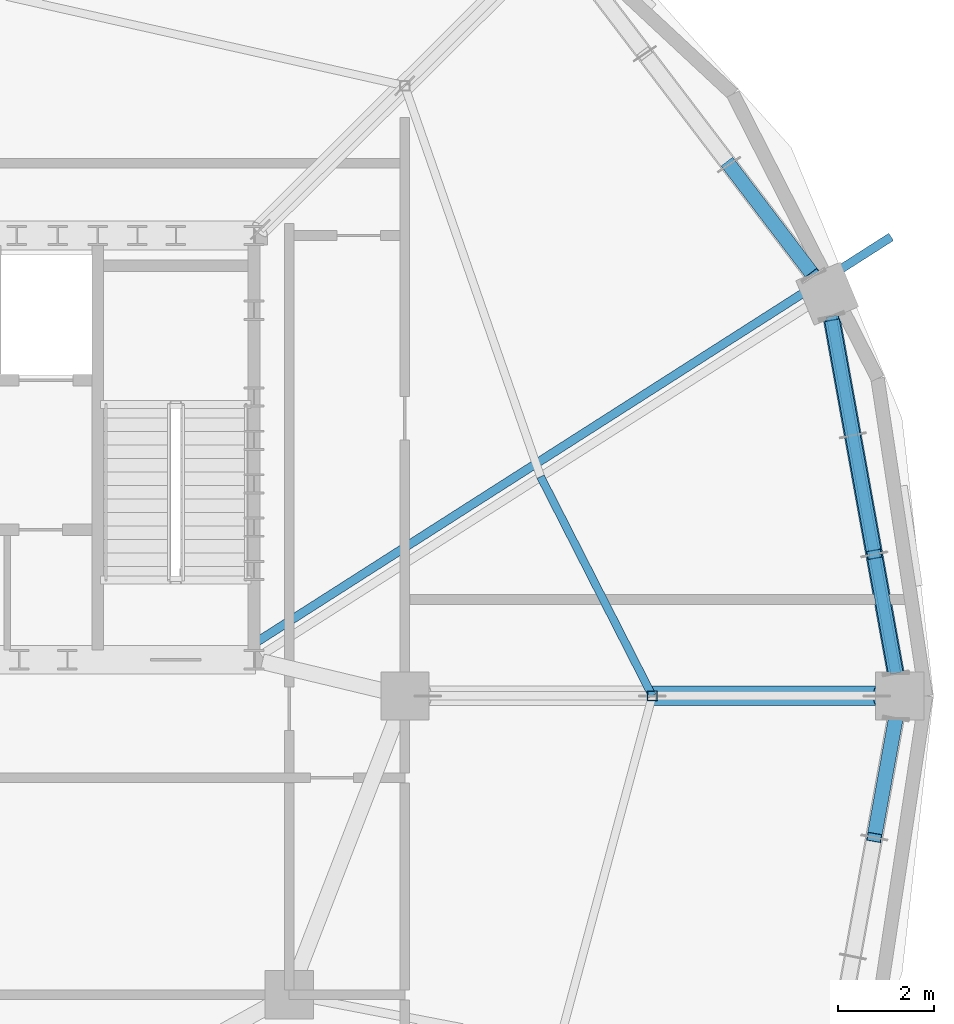
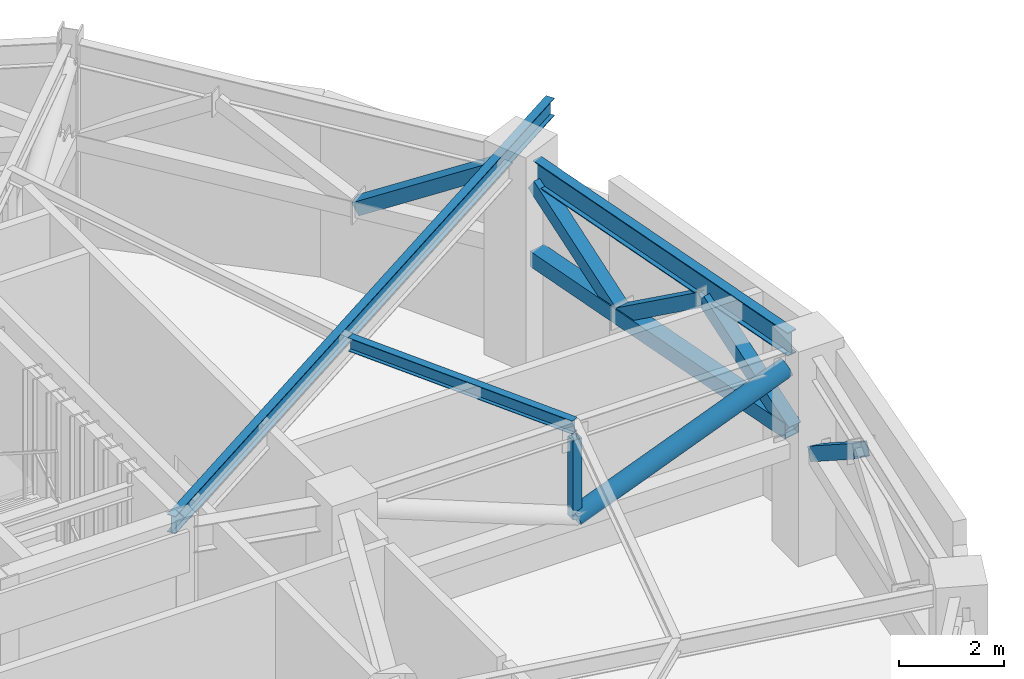
# One storey, part 5 of 20: 8 members, 3 beams.
"""IFC4 building model written with IfcOpenShell, lengths in metres."""

from ifc_helpers import new_model, si_unit, direction, frame, origin, origin_2d, place, context, subcontext, project, spatial, hollow_rectangle, hollow_circle, i_section, extrude, material, material_profile, profile_set, type_object, element, save


model = new_model("IFC4")

# Units and contexts
model_context = context("Model", 3, precision=1e-05, world=origin(), true_north=direction((0.0, 1.0)))
body_context = subcontext(model_context, "Body", "Model", "MODEL_VIEW")
ifc_project = project(units=[si_unit("LENGTHUNIT", "METRE"), si_unit("AREAUNIT", "SQUARE_METRE"), si_unit("VOLUMEUNIT", "CUBIC_METRE"), si_unit("PLANEANGLEUNIT", "RADIAN"), si_unit("MASSUNIT", "GRAM", prefix="KILO")], contexts=[model_context])

# Site, building, storey
site_placement = place(None, origin())
site = spatial("IfcSite", under=ifc_project, at=site_placement, CompositionType="ELEMENT")
building_placement = place(site_placement, origin())
building = spatial("IfcBuilding", under=site, at=building_placement, Name="Haldorwick Loom Tower", CompositionType="ELEMENT")
storey_placement = place(building_placement, frame((0.0, 0.0, 222.10009765625)))
storey = spatial("IfcBuildingStorey", under=building, at=storey_placement, Name="L60", CompositionType="ELEMENT", Elevation=222.10009765625)

# Beams
ifc_material = material(Name="Steel CSA G40.21 350W", Category="steel")
ifc_material_profile_1 = material_profile(ifc_material, i_section(OverallWidth=0.179931640625, OverallDepth=0.4130859375, WebThickness=0.009765625, FlangeThickness=0.01611328125, at=origin_2d()), Name="W410X74", Category="steel")
ifc_profile_set_1 = profile_set([ifc_material_profile_1], Name="Steel CSA G40.21 350W")
beam_type_1 = type_object("IfcBeamType", Name="STR-BM-BAL410", PredefinedType="BEAM", material=ifc_profile_set_1)
beam_1_placement = place(storey_placement, frame((50.0693359375, 27.081787109375, 4.553466796875), z_axis=(0.842844376394, 0.538157372133, 0.0), x_axis=(-0.538157372133, 0.842844376394, 0.0)))
element("IfcBeam", 1, at=beam_1_placement, inside=storey, type_object=beam_type_1, Name="L60 Continuous Back-Spanned Balcony Beam 4", PredefinedType="BEAM", context=body_context, shape_type="SweptSolid", body=[
    extrude(i_section(OverallWidth=0.179931640625, OverallDepth=0.4130859375, WebThickness=0.009765625, FlangeThickness=0.01611328125, at=origin_2d()), origin(), (0.0, 0.0, 1.0), 15.680419921875),
])
ifc_material_profile_2 = material_profile(ifc_material, i_section(OverallWidth=0.166015625, OverallDepth=0.31298828125, WebThickness=0.006591796875, FlangeThickness=0.01123046875, at=origin_2d()), Name="W310X45", Category="steel")
ifc_profile_set_2 = profile_set([ifc_material_profile_2], Name="Steel CSA G40.21 350W")
beam_type_2 = type_object("IfcBeamType", Name="STR-BM-J310", PredefinedType="JOIST", material=ifc_profile_set_2)
beam_2_placement = place(storey_placement, frame((58.333251953125, 26.0, 4.603515625), z_axis=(-0.454203827517, 0.890897796085, 0.0), x_axis=(-0.890897796085, -0.454203827517, 0.0)))
element("IfcBeam", 2, at=beam_2_placement, inside=storey, type_object=beam_type_2, Name="L60 Mid-Bay Secondary Joist 1", PredefinedType="JOIST", context=body_context, shape_type="SweptSolid", body=[
    extrude(i_section(OverallWidth=0.166015625, OverallDepth=0.31298828125, WebThickness=0.006591796875, FlangeThickness=0.01123046875, at=origin_2d()), origin(), (0.0, 0.0, 1.0), 5.103271484375),
])
ifc_material_profile_3 = material_profile(ifc_material, i_section(OverallWidth=0.2119140625, OverallDepth=0.5439453125, WebThickness=0.01318359375, FlangeThickness=0.021240234375, at=origin_2d()), Name="W530X123", Category="steel")
ifc_profile_set_3 = profile_set([ifc_material_profile_3], Name="Steel CSA G40.21 350W")
beam_type_3 = type_object("IfcBeamType", Name="STR-BM-SP530", PredefinedType="SPANDREL", material=ifc_profile_set_3)
beam_3_placement = place(storey_placement, frame((63.382080078125, 26.467529296875, 4.48779296875), z_axis=(-0.177580880494, 0.984106209148, 0.0), x_axis=(-0.984106209148, -0.177580880494, 0.0)))
element("IfcBeam", 3, at=beam_3_placement, inside=storey, type_object=beam_type_3, Name="L60 Perimeter Spandrel 1", PredefinedType="SPANDREL", context=body_context, shape_type="SweptSolid", body=[
    extrude(i_section(OverallWidth=0.2119140625, OverallDepth=0.5439453125, WebThickness=0.01318359375, FlangeThickness=0.021240234375, at=origin_2d()), origin(), (0.0, 0.0, 1.0), 7.527099609375),
])

# Members
ifc_material_profile_4 = material_profile(ifc_material, hollow_rectangle(XDim=0.3046875, YDim=0.3046875, WallThickness=0.0126953125, at=origin_2d()), Name="HSS305X305X13", Category="steel")
ifc_profile_set_4 = profile_set([ifc_material_profile_4], Name="Steel CSA G40.21 350W")
member_type_1 = type_object("IfcMemberType", Name="STR-MEM-BR305", PredefinedType="BRACE", material=ifc_profile_set_4)
member_1_placement = place(storey_placement, frame((63.382080078125, 26.467529296875, 2.5), z_axis=(-0.146579770823, 0.812333042249, 0.564472673613), x_axis=(-0.984107231931, -0.177575212406, 0.0)))
element("IfcMember", 4, at=member_1_placement, inside=storey, type_object=member_type_1, Name="L60 Perimeter Belt Truss Web Diagonal 1-1", PredefinedType="BRACE", context=body_context, shape_type="SweptSolid", body=[
    extrude(hollow_rectangle(XDim=0.3046875, YDim=0.3046875, WallThickness=0.0126953125, at=origin_2d()), origin(), (0.0, 0.0, 1.0), 3.039794921875),
])
member_2_placement = place(storey_placement, frame((62.9365234375, 28.936767578125, 4.2158203125), z_axis=(-0.14658933484, 0.812305722324, -0.564509504251), x_axis=(-0.984104163287, -0.177592217739, 0.0)))
element("IfcMember", 5, at=member_2_placement, inside=storey, type_object=member_type_1, Name="L60 Perimeter Belt Truss Web Diagonal 1-2", PredefinedType="BRACE", context=body_context, shape_type="SweptSolid", body=[
    extrude(hollow_rectangle(XDim=0.3046875, YDim=0.3046875, WallThickness=0.0126953125, at=origin_2d()), origin(), (0.0, 0.0, 1.0), 3.03955078125),
])
member_3_placement = place(storey_placement, frame((62.490966796875, 31.40576171875, 2.5), z_axis=(-0.146579770823, 0.812333042249, 0.564472673613), x_axis=(-0.984107231931, -0.177575212406, 0.0)))
element("IfcMember", 6, at=member_3_placement, inside=storey, type_object=member_type_1, Name="L60 Perimeter Belt Truss Web Diagonal 1-3", PredefinedType="BRACE", context=body_context, shape_type="SweptSolid", body=[
    extrude(hollow_rectangle(XDim=0.3046875, YDim=0.3046875, WallThickness=0.0126953125, at=origin_2d()), origin(), (0.0, 0.0, 1.0), 3.039794921875),
])
member_4_placement = place(storey_placement, frame((61.673583984375, 34.720703125, 4.2158203125), z_axis=(-0.520484622649, 0.684488847872, -0.510461335191), x_axis=(-0.796009170115, -0.60528456208, 0.0)))
element("IfcMember", 7, at=member_4_placement, inside=storey, type_object=member_type_1, Name="L60 Perimeter Belt Truss Web Diagonal 2-1", PredefinedType="BRACE", context=body_context, shape_type="SweptSolid", body=[
    extrude(hollow_rectangle(XDim=0.3046875, YDim=0.3046875, WallThickness=0.0126953125, at=origin_2d()), origin(), (0.0, 0.0, 1.0), 3.361328125),
])
member_5_placement = place(storey_placement, frame((62.9365234375, 23.063232421875, 4.2158203125), z_axis=(0.146579770823, 0.812333042249, -0.564472673613), x_axis=(-0.984107231931, 0.177575212406, 0.0)))
element("IfcMember", 8, at=member_5_placement, inside=storey, type_object=member_type_1, Name="L60 Perimeter Belt Truss Web Diagonal 16-3", PredefinedType="BRACE", context=body_context, shape_type="SweptSolid", body=[
    extrude(hollow_rectangle(XDim=0.3046875, YDim=0.3046875, WallThickness=0.0126953125, at=origin_2d()), origin(), (0.0, 0.0, 1.0), 3.039794921875),
])
ifc_material_profile_5 = material_profile(ifc_material, hollow_circle(Radius=0.203125, WallThickness=0.0126953125, at=origin_2d()), Name="HSS406X13", Category="steel")
ifc_profile_set_5 = profile_set([ifc_material_profile_5], Name="Steel CSA G40.21 350W")
member_type_2 = type_object("IfcMemberType", Name="STR-MEM-BR406C", PredefinedType="BRACE", material=ifc_profile_set_5)
member_6_placement = place(storey_placement, frame((58.333251953125, 26.0, 2.5), z_axis=(0.929598051157, 0.0, 0.368574908648), x_axis=(0.0, 1.0, 0.0)))
element("IfcMember", 9, at=member_6_placement, inside=storey, type_object=member_type_2, Name="L60 Outrigger OT-E Outer Diagonal", PredefinedType="BRACE", context=body_context, shape_type="SweptSolid", body=[
    extrude(hollow_circle(Radius=0.203125, WallThickness=0.0126953125, at=origin_2d()), origin(), (0.0, 0.0, 1.0), 5.010986328125),
])
ifc_material_profile_6 = material_profile(ifc_material, hollow_rectangle(XDim=0.355712890625, YDim=0.355712890625, WallThickness=0.015869140625, at=origin_2d()), Name="HSS356X356X16", Category="steel")
ifc_profile_set_6 = profile_set([ifc_material_profile_6], Name="Steel CSA G40.21 350W")
member_type_3 = type_object("IfcMemberType", Name="STR-MEM-CH356", PredefinedType="CHORD", material=ifc_profile_set_6)
member_7_placement = place(storey_placement, frame((63.382080078125, 26.467529296875, 2.5), z_axis=(-0.177580880494, 0.984106209148, 0.0), x_axis=(-0.984106209148, -0.177580880494, 0.0)))
element("IfcMember", 10, at=member_7_placement, inside=storey, type_object=member_type_3, Name="L60 Perimeter Belt Truss Bottom Chord 1", PredefinedType="CHORD", context=body_context, shape_type="SweptSolid", body=[
    extrude(hollow_rectangle(XDim=0.355712890625, YDim=0.355712890625, WallThickness=0.015869140625, at=origin_2d()), origin(), (0.0, 0.0, 1.0), 7.527099609375),
])
ifc_material_profile_7 = material_profile(ifc_material, hollow_rectangle(XDim=0.203125, YDim=0.203125, WallThickness=0.009521484375, at=origin_2d()), Name="HSS203X203X10", Category="steel")
ifc_profile_set_7 = profile_set([ifc_material_profile_7], Name="Steel CSA G40.21 350W")
member_type_4 = type_object("IfcMemberType", Name="STR-MEM-ST203", PredefinedType="STRUT", material=ifc_profile_set_7)
member_8_placement = place(storey_placement, frame((58.333251953125, 26.0, 2.5), z_axis=(0.0, 0.0, 1.0), x_axis=(1.0, 0.0, 0.0)))
element("IfcMember", 11, at=member_8_placement, inside=storey, type_object=member_type_4, Name="L60 Outrigger OT-E Mid Post", PredefinedType="STRUT", context=body_context, shape_type="SweptSolid", body=[
    extrude(hollow_rectangle(XDim=0.203125, YDim=0.203125, WallThickness=0.009521484375, at=origin_2d()), origin(), (0.0, 0.0, 1.0), 1.846923828125),
])

save(model, "model.ifc")
